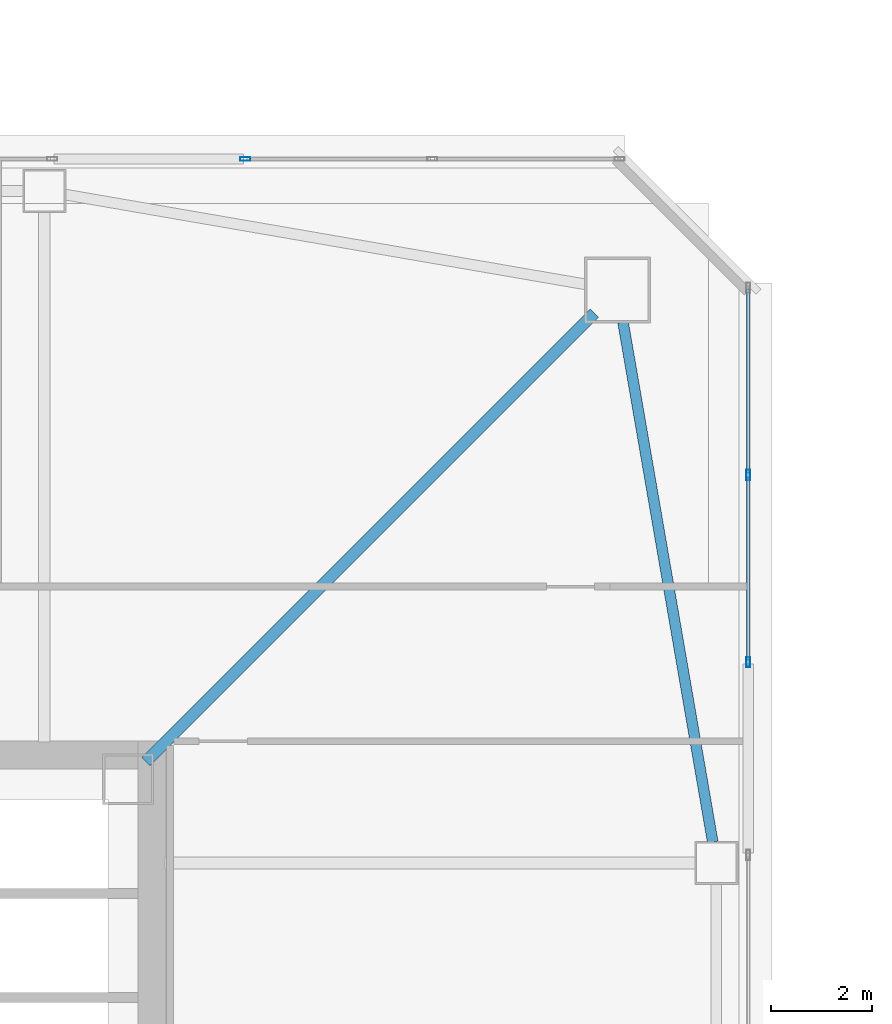
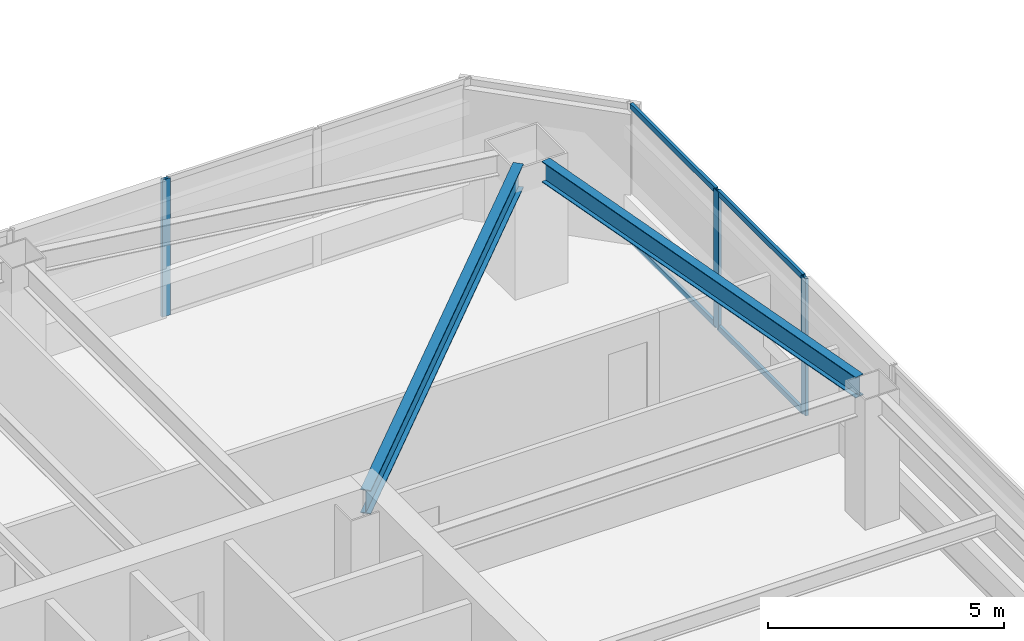
# One storey, part 14 of 46: 7 members, 2 beams, 2 elements without a shape of their own.
"""IFC4 building model written with IfcOpenShell, lengths in metres."""

from ifc_helpers import new_model, si_unit, direction, frame, origin, origin_2d, place, context, subcontext, project, spatial, hollow_rectangle, i_section, extrude, material, material_profile, profile_set, type_object, element, aggregate, save


model = new_model("IFC4")

# Units and contexts
model_context = context("Model", 3, precision=1e-05, world=origin(), true_north=direction((0.0, 1.0)))
body_context = subcontext(model_context, "Body", "Model", "MODEL_VIEW")
ifc_project = project(units=[si_unit("LENGTHUNIT", "METRE"), si_unit("AREAUNIT", "SQUARE_METRE"), si_unit("VOLUMEUNIT", "CUBIC_METRE"), si_unit("PLANEANGLEUNIT", "RADIAN"), si_unit("MASSUNIT", "GRAM", prefix="KILO")], contexts=[model_context])

# Site, building, storey
site_placement = place(None, origin())
site = spatial("IfcSite", under=ifc_project, at=site_placement, CompositionType="ELEMENT")
building_placement = place(site_placement, origin())
building = spatial("IfcBuilding", under=site, at=building_placement, Name="Tashvorn Skyway Center", CompositionType="ELEMENT")
storey_placement = place(building_placement, frame((0.0, 0.0, 132.14990234375)))
storey = spatial("IfcBuildingStorey", under=building, at=storey_placement, Name="L35", CompositionType="ELEMENT", Elevation=132.14990234375)

# Beams
ifc_material_1 = material(Name="Steel ASTM A992 Grade 50", Category="steel")
ifc_material_profile_1 = material_profile(ifc_material_1, i_section(OverallWidth=0.22998046875, OverallDepth=0.616943359375, WebThickness=0.01318359375, FlangeThickness=0.022216796875, at=origin_2d()), Name="W24X94")
ifc_profile_set_1 = profile_set([ifc_material_profile_1], Name="Steel ASTM A992 Grade 50")
beam_type_1 = type_object("IfcBeamType", Name="BM-BEAM-W24X94", PredefinedType="BEAM", material=ifc_profile_set_1)
beam_1_placement = place(storey_placement, frame((58.243896484375, 48.243896484375, 3.0615234375), z_axis=(-0.707106781187, -0.707106781187, 0.0), x_axis=(0.707106781187, -0.707106781187, 0.0)))
element("IfcBeam", 1, at=beam_1_placement, inside=storey, type_object=beam_type_1, Name="Tower 1 L35 Primary Floor Girder MC-NE", PredefinedType="BEAM", context=body_context, shape_type="SweptSolid", body=[
    extrude(i_section(OverallWidth=0.22998046875, OverallDepth=0.616943359375, WebThickness=0.01318359375, FlangeThickness=0.022216796875, at=origin_2d()), origin(), (0.0, 0.0, 1.0), 12.50732421875),
])
ifc_material_profile_2 = material_profile(ifc_material_1, i_section(OverallWidth=0.2109375, OverallDepth=0.5390625, WebThickness=0.01171875, FlangeThickness=0.018798828125, at=origin_2d()), Name="W21X73")
ifc_profile_set_2 = profile_set([ifc_material_profile_2], Name="Steel ASTM A992 Grade 50")
beam_type_2 = type_object("IfcBeamType", Name="BM-SPANDREL-W21X73", PredefinedType="SPANDREL", material=ifc_profile_set_2)
beam_2_placement = place(storey_placement, frame((60.57861328125, 37.81396484375, 3.1005859375), z_axis=(-0.170067250846, 0.985432458462, 0.0), x_axis=(-0.985432458462, -0.170067250846, 0.0)))
element("IfcBeam", 2, at=beam_2_placement, inside=storey, type_object=beam_type_2, Name="Tower 1 L35 Spandrel Beam 06", PredefinedType="SPANDREL", context=body_context, shape_type="SweptSolid", body=[
    extrude(i_section(OverallWidth=0.2109375, OverallDepth=0.5390625, WebThickness=0.01171875, FlangeThickness=0.018798828125, at=origin_2d()), origin(), (0.0, 0.0, 1.0), 10.402099609375),
])

# Curtain wall, member
ifc_material_2 = material(Name="Thermally broken bronze-anodized aluminium 6063-T6", Category="aluminium")
curtain_wall_type = type_object("IfcCurtainWallType", Name="CW-CW-Z3", PredefinedType="NOTDEFINED", material=ifc_material_2)
curtain_wall_1_placement = place(storey_placement, origin())
curtain_wall_1 = element("IfcCurtainWall", 3, at=curtain_wall_1_placement, inside=storey, type_object=curtain_wall_type, Name="Tower 1 L35 North Unitised Curtain Wall Glazing Group 3", PredefinedType="NOTDEFINED")
ifc_material_profile_3 = material_profile(ifc_material_2, hollow_rectangle(XDim=0.074951171875, YDim=0.199951171875, WallThickness=0.00439453125, at=origin_2d()), Name="ALU-MULL-75x200")
ifc_profile_set_3 = profile_set([ifc_material_profile_3], Name="Thermally broken bronze-anodized aluminium 6063-T6")
member_type_1 = type_object("IfcMemberType", Name="CWM-CW-Z3", PredefinedType="MULLION", material=ifc_profile_set_3)
member_1_placement = place(storey_placement, frame((51.359619140625, 51.280029296875, 0.0), z_axis=(0.0, 0.0, 1.0), x_axis=(0.0, 1.0, 0.0)))
member_1 = element("IfcMember", 4, at=member_1_placement, type_object=member_type_1, Name="CW-Z3 mullion 1", PredefinedType="MULLION", context=body_context, shape_type="SweptSolid", body=[
    extrude(hollow_rectangle(XDim=0.074951171875, YDim=0.199951171875, WallThickness=0.00439453125, at=origin_2d()), origin(), (0.0, 0.0, 1.0), 3.550048828125),
])
aggregate(curtain_wall_1, [member_1])

# Curtain wall, members
curtain_wall_2_placement = place(storey_placement, origin())
curtain_wall_2 = element("IfcCurtainWall", 5, at=curtain_wall_2_placement, inside=storey, type_object=curtain_wall_type, Name="Tower 1 L35 East Unitised Curtain Wall Glazing Group 1", PredefinedType="NOTDEFINED")
member_2_placement = place(storey_placement, frame((61.280029296875, 45.051025390625, 0.0), z_axis=(0.0, 0.0, 1.0), x_axis=(1.0, 0.0, 0.0)))
member_2 = element("IfcMember", 6, at=member_2_placement, type_object=member_type_1, Name="CW-Z3 mullion 2", PredefinedType="MULLION", context=body_context, shape_type="SweptSolid", body=[
    extrude(hollow_rectangle(XDim=0.074951171875, YDim=0.199951171875, WallThickness=0.00439453125, at=origin_2d()), origin(), (0.0, 0.0, 1.0), 3.550048828125),
])
member_3_placement = place(storey_placement, frame((61.280029296875, 41.359619140625, 0.0), z_axis=(0.0, 0.0, 1.0), x_axis=(1.0, 0.0, 0.0)))
member_3 = element("IfcMember", 7, at=member_3_placement, type_object=member_type_1, Name="CW-Z3 mullion 3", PredefinedType="MULLION", context=body_context, shape_type="SweptSolid", body=[
    extrude(hollow_rectangle(XDim=0.074951171875, YDim=0.199951171875, WallThickness=0.00439453125, at=origin_2d()), origin(), (0.0, 0.0, 1.0), 3.550048828125),
])
ifc_material_profile_4 = material_profile(ifc_material_2, hollow_rectangle(XDim=0.074951171875, YDim=0.139892578125, WallThickness=0.004150390625, at=origin_2d()), Name="ALU-TRAN-75x140")
ifc_profile_set_4 = profile_set([ifc_material_profile_4], Name="Thermally broken bronze-anodized aluminium 6063-T6")
member_type_2 = type_object("IfcMemberType", Name="CWT-CW-Z3", PredefinedType="USERDEFINED", material=ifc_profile_set_4)
member_4_placement = place(storey_placement, frame((61.280029296875, 48.705078125, 0.03759765625), z_axis=(0.0, -1.0, 0.0), x_axis=(1.0, 0.0, 0.0)))
member_4 = element("IfcMember", 8, at=member_4_placement, type_object=member_type_2, Name="CW-Z3 transom 1.1", ObjectType="TRANSOM", PredefinedType="USERDEFINED", context=body_context, shape_type="SweptSolid", body=[
    extrude(hollow_rectangle(XDim=0.074951171875, YDim=0.139892578125, WallThickness=0.004150390625, at=origin_2d()), origin(), (0.0, 0.0, 1.0), 3.616455078125),
])
member_5_placement = place(storey_placement, frame((61.280029296875, 48.705078125, 3.5126953125), z_axis=(0.0, -1.0, 0.0), x_axis=(1.0, 0.0, 0.0)))
member_5 = element("IfcMember", 9, at=member_5_placement, type_object=member_type_2, Name="CW-Z3 transom 1.2", ObjectType="TRANSOM", PredefinedType="USERDEFINED", context=body_context, shape_type="SweptSolid", body=[
    extrude(hollow_rectangle(XDim=0.074951171875, YDim=0.139892578125, WallThickness=0.004150390625, at=origin_2d()), origin(), (0.0, 0.0, 1.0), 3.616455078125),
])
member_6_placement = place(storey_placement, frame((61.280029296875, 45.013671875, 0.03759765625), z_axis=(0.0, -1.0, 0.0), x_axis=(1.0, 0.0, 0.0)))
member_6 = element("IfcMember", 10, at=member_6_placement, type_object=member_type_2, Name="CW-Z3 transom 2.1", ObjectType="TRANSOM", PredefinedType="USERDEFINED", context=body_context, shape_type="SweptSolid", body=[
    extrude(hollow_rectangle(XDim=0.074951171875, YDim=0.139892578125, WallThickness=0.004150390625, at=origin_2d()), origin(), (0.0, 0.0, 1.0), 3.616455078125),
])
member_7_placement = place(storey_placement, frame((61.280029296875, 45.013671875, 3.5126953125), z_axis=(0.0, -1.0, 0.0), x_axis=(1.0, 0.0, 0.0)))
member_7 = element("IfcMember", 11, at=member_7_placement, type_object=member_type_2, Name="CW-Z3 transom 2.2", ObjectType="TRANSOM", PredefinedType="USERDEFINED", context=body_context, shape_type="SweptSolid", body=[
    extrude(hollow_rectangle(XDim=0.074951171875, YDim=0.139892578125, WallThickness=0.004150390625, at=origin_2d()), origin(), (0.0, 0.0, 1.0), 3.616455078125),
])
aggregate(curtain_wall_2, [member_2, member_3, member_4, member_5, member_6, member_7])

save(model, "model.ifc")
